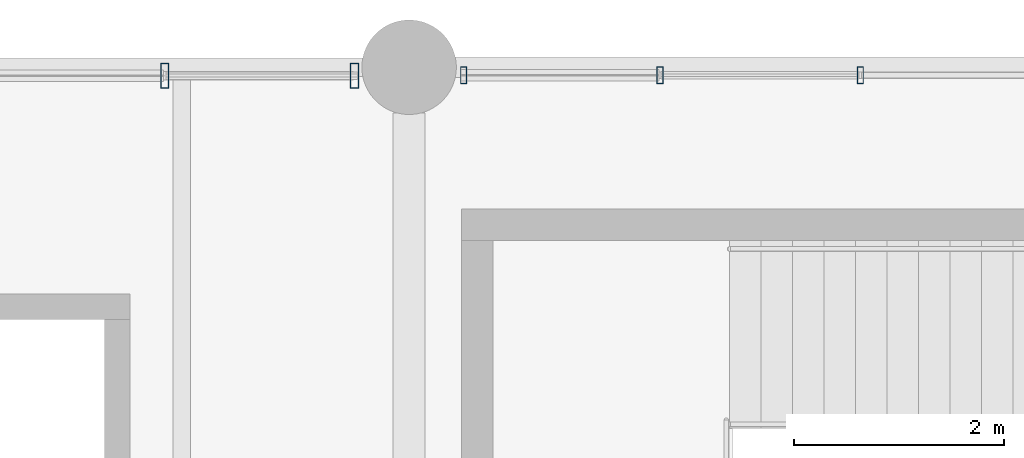
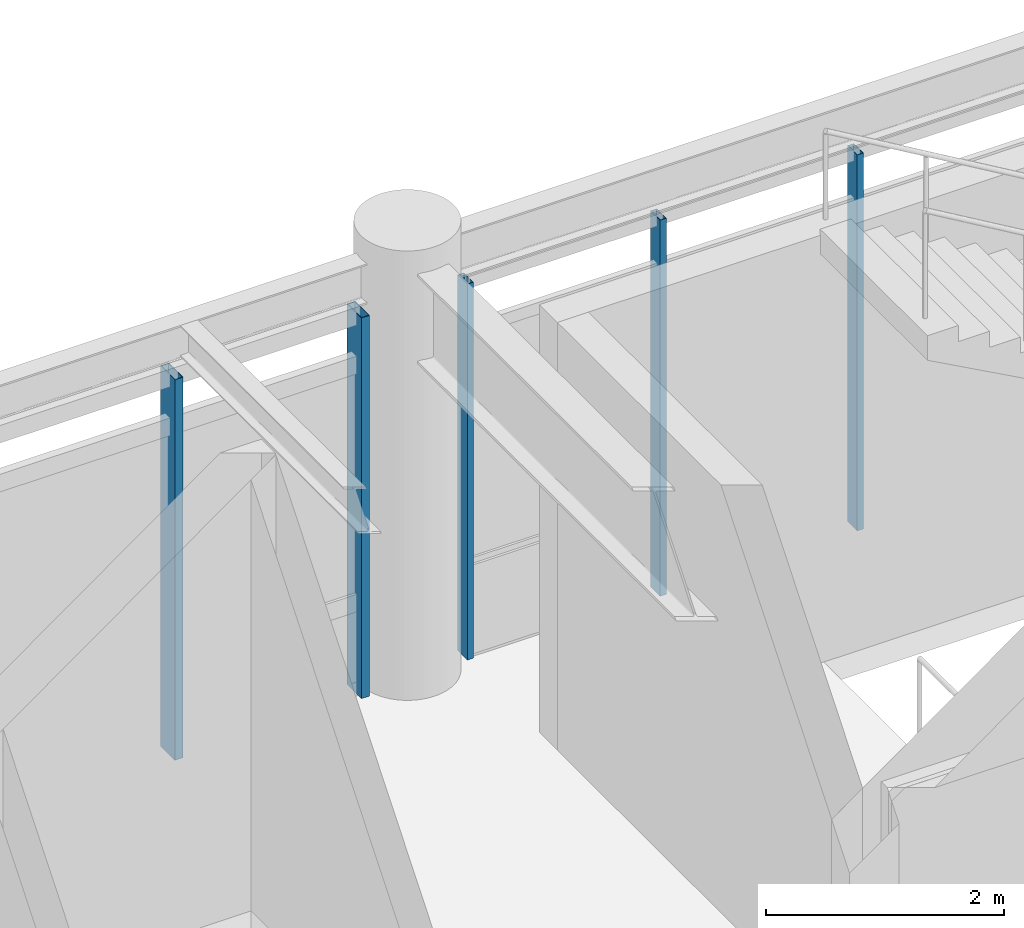
# One storey, part 118 of 168: 5 members, 2 elements without a shape of their own.
"""IFC4 building model written with IfcOpenShell, lengths in metres."""

from ifc_helpers import new_model, si_unit, direction, frame, origin, origin_2d, place, context, subcontext, project, spatial, hollow_rectangle, extrude, material, material_profile, profile_set, type_object, element, aggregate, save


model = new_model("IFC4")

# Units and contexts
model_context = context("Model", 3, precision=1e-05, world=origin(), true_north=direction((0.0, 1.0)))
body_context = subcontext(model_context, "Body", "Model", "MODEL_VIEW")
ifc_project = project(units=[si_unit("LENGTHUNIT", "METRE"), si_unit("AREAUNIT", "SQUARE_METRE"), si_unit("VOLUMEUNIT", "CUBIC_METRE"), si_unit("PLANEANGLEUNIT", "RADIAN"), si_unit("MASSUNIT", "GRAM", prefix="KILO"), si_unit("THERMODYNAMICTEMPERATUREUNIT", "KELVIN"), si_unit("POWERUNIT", "WATT")], contexts=[model_context])

# Site, building, storey
site_placement = place(None, origin())
site = spatial("IfcSite", under=ifc_project, at=site_placement, CompositionType="ELEMENT")
building_placement = place(site_placement, origin())
building = spatial("IfcBuilding", under=site, at=building_placement, Name="Tepalcoro Natatorium and Aquatics Centre", CompositionType="ELEMENT")
storey_placement = place(building_placement, frame((0.0, 0.0, 10.199951171875)))
storey = spatial("IfcBuildingStorey", under=building, at=storey_placement, Name="L02", CompositionType="ELEMENT", Elevation=10.199951171875)

# Curtain wall, members
ifc_material = material(Name="Bronze-Anodised Extruded Aluminium Alloy EN AW-6063 T6", Category="aluminium")
curtain_wall_type_1 = type_object("IfcCurtainWallType", Name="CW_V1_PLINTH", PredefinedType="USERDEFINED", material=ifc_material)
curtain_wall_1_placement = place(storey_placement, origin())
curtain_wall_1 = element("IfcCurtainWall", 1, at=curtain_wall_1_placement, inside=storey, type_object=curtain_wall_type_1, Name="V5 L02 N Unitised Curtain Wall Bay 5", ObjectType="UNITISED STOREFRONT", PredefinedType="USERDEFINED")
ifc_material_profile_1 = material_profile(ifc_material, hollow_rectangle(XDim=0.06005859375, YDim=0.159912109375, WallThickness=0.00390625, at=origin_2d()), Name="AL60X160X4")
ifc_profile_set_1 = profile_set([ifc_material_profile_1], Name="Bronze-Anodised Extruded Aluminium Alloy EN AW-6063 T6")
member_type_1 = type_object("IfcMemberType", Name="CW_MUL_60x160", PredefinedType="MULLION", material=ifc_profile_set_1)
member_1_placement = place(storey_placement, frame((132.02001953125, 117.923828125, 0.02001953125), z_axis=(0.0, 0.0, 1.0), x_axis=(1.0, 0.0, 0.0)))
member_1 = element("IfcMember", 2, at=member_1_placement, type_object=member_type_1, Name="CW_V1_PLINTH Curtain Wall Mullion", PredefinedType="MULLION", context=body_context, shape_type="SweptSolid", body=[
    extrude(hollow_rectangle(XDim=0.06005859375, YDim=0.159912109375, WallThickness=0.00390625, at=origin_2d()), origin(), (0.0, 0.0, 1.0), 3.85009765625),
])
member_2_placement = place(storey_placement, frame((133.887939453125, 117.923828125, 0.02001953125), z_axis=(0.0, 0.0, 1.0), x_axis=(1.0, 0.0, 0.0)))
member_2 = element("IfcMember", 3, at=member_2_placement, type_object=member_type_1, Name="CW_V1_PLINTH Curtain Wall Mullion", PredefinedType="MULLION", context=body_context, shape_type="SweptSolid", body=[
    extrude(hollow_rectangle(XDim=0.06005859375, YDim=0.159912109375, WallThickness=0.00390625, at=origin_2d()), origin(), (0.0, 0.0, 1.0), 3.85009765625),
])
member_3_placement = place(storey_placement, frame((135.7958984375, 117.923828125, 0.02001953125), z_axis=(0.0, 0.0, 1.0), x_axis=(1.0, 0.0, 0.0)))
member_3 = element("IfcMember", 4, at=member_3_placement, type_object=member_type_1, Name="CW_V1_PLINTH Curtain Wall Mullion", PredefinedType="MULLION", context=body_context, shape_type="SweptSolid", body=[
    extrude(hollow_rectangle(XDim=0.06005859375, YDim=0.159912109375, WallThickness=0.00390625, at=origin_2d()), origin(), (0.0, 0.0, 1.0), 3.85009765625),
])
aggregate(curtain_wall_1, [member_1, member_2, member_3])

curtain_wall_type_2 = type_object("IfcCurtainWallType", Name="CW_LEAN_T2_EW", PredefinedType="USERDEFINED", material=ifc_material)
curtain_wall_2_placement = place(storey_placement, origin())
curtain_wall_2 = element("IfcCurtainWall", 5, at=curtain_wall_2_placement, inside=storey, type_object=curtain_wall_type_2, Name="V5 L02 N Unitised Curtain Wall Bay 4", ObjectType="FACETED SOLAR GLAZING", PredefinedType="USERDEFINED")
ifc_material_profile_2 = material_profile(ifc_material, hollow_rectangle(XDim=0.080078125, YDim=0.239990234375, WallThickness=0.0048828125, at=origin_2d()), Name="AL80X240X5")
ifc_profile_set_2 = profile_set([ifc_material_profile_2], Name="Bronze-Anodised Extruded Aluminium Alloy EN AW-6063 T6")
member_type_2 = type_object("IfcMemberType", Name="CW_MUL_80x240", PredefinedType="MULLION", material=ifc_profile_set_2)
member_4_placement = place(storey_placement, frame((129.17333984375, 117.919921875, 0.02001953125), z_axis=(0.0, 0.0, 1.0), x_axis=(1.0, 0.0, 0.0)))
member_4 = element("IfcMember", 6, at=member_4_placement, type_object=member_type_2, Name="CW_LEAN_T2_EW Curtain Wall Mullion", PredefinedType="MULLION", context=body_context, shape_type="SweptSolid", body=[
    extrude(hollow_rectangle(XDim=0.080078125, YDim=0.239990234375, WallThickness=0.0048828125, at=origin_2d()), origin(), (0.0, 0.0, 1.0), 3.89697265625),
])
member_5_placement = place(storey_placement, frame((130.97998046875, 117.919921875, 0.02001953125), z_axis=(0.0, 0.0, 1.0), x_axis=(1.0, 0.0, 0.0)))
member_5 = element("IfcMember", 7, at=member_5_placement, type_object=member_type_2, Name="CW_LEAN_T2_EW Curtain Wall Mullion", PredefinedType="MULLION", context=body_context, shape_type="SweptSolid", body=[
    extrude(hollow_rectangle(XDim=0.080078125, YDim=0.239990234375, WallThickness=0.0048828125, at=origin_2d()), origin(), (0.0, 0.0, 1.0), 3.89697265625),
])
aggregate(curtain_wall_2, [member_4, member_5])

save(model, "model.ifc")
